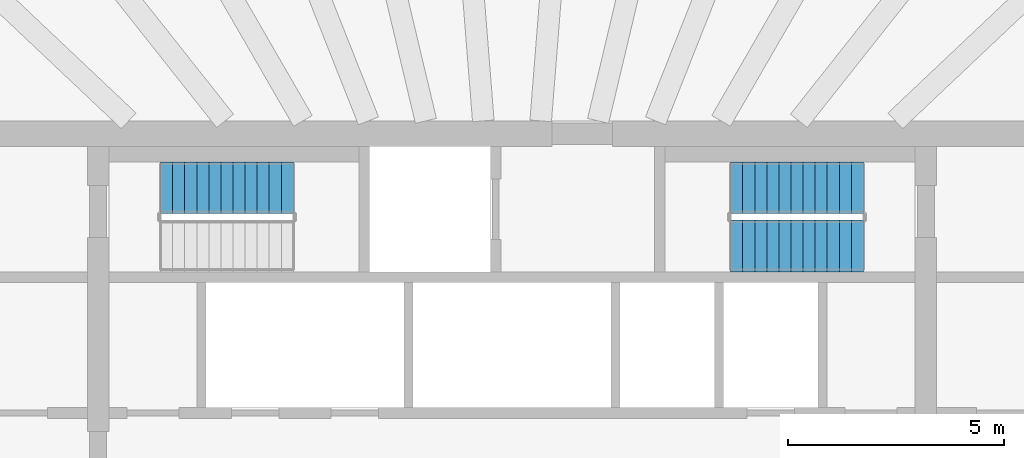
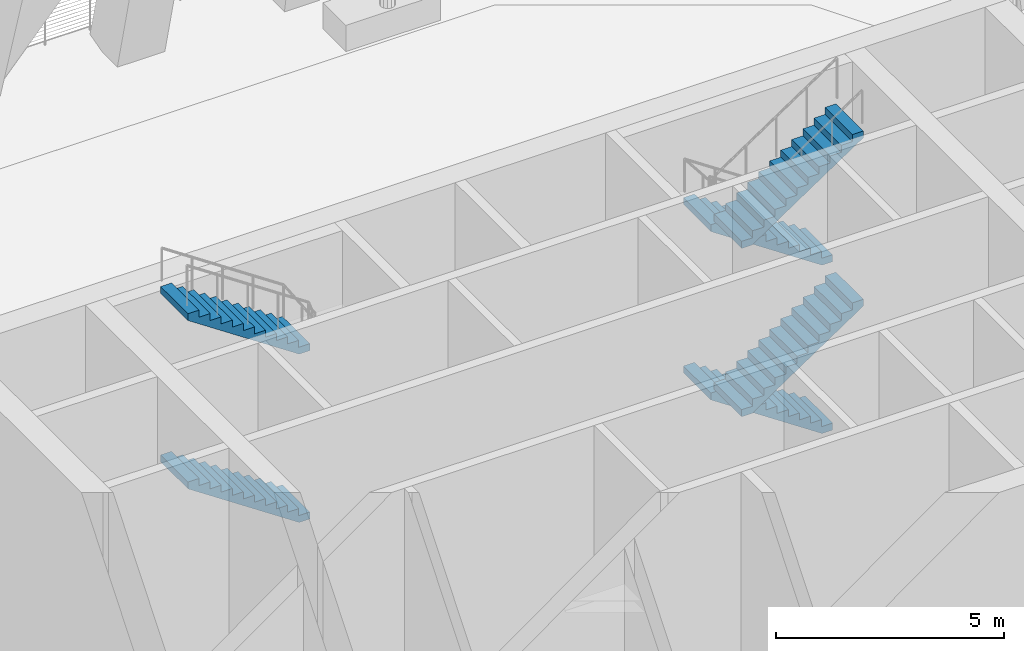
# One storey, part 6 of 11: 6 stair flights, 2 elements without a shape of their own.
"""IFC4 building model written with IfcOpenShell, lengths in metres."""

from ifc_helpers import new_model, si_unit, direction, frame, origin, place, context, subcontext, project, spatial, polyline, outline, extrude, material, layer, layer_set, type_object, element, aggregate, save


model = new_model("IFC4")

# Units and contexts
model_context = context("Model", 3, precision=1e-05, world=origin(), true_north=direction((0.0, 1.0)))
body_context = subcontext(model_context, "Body", "Model", "MODEL_VIEW")
ifc_project = project(units=[si_unit("LENGTHUNIT", "METRE"), si_unit("AREAUNIT", "SQUARE_METRE"), si_unit("VOLUMEUNIT", "CUBIC_METRE"), si_unit("PLANEANGLEUNIT", "RADIAN"), si_unit("MASSUNIT", "GRAM", prefix="KILO")], contexts=[model_context])

# Site, building, storey
site_placement = place(None, origin())
site = spatial("IfcSite", under=ifc_project, at=site_placement, CompositionType="ELEMENT")
building_placement = place(site_placement, origin())
building = spatial("IfcBuilding", under=site, at=building_placement, Name="Frailejon Research Tower", CompositionType="ELEMENT")
storey_placement = place(building_placement, frame((0.0, 0.0, 202.39990234375)))
storey = spatial("IfcBuildingStorey", under=building, at=storey_placement, Name="L44", CompositionType="ELEMENT", Elevation=202.39990234375)

# Stair, stair flights
ifc_material_1 = material(Name="Concrete C50/60", Category="concrete")
stair_type = type_object("IfcStairType", Name="Exit stair 48 risers", PredefinedType="HALF_TURN_STAIR", material=ifc_material_1)
stair_1_placement = place(storey_placement, origin())
stair_1 = element("IfcStair", 1, at=stair_1_placement, inside=storey, type_object=stair_type, Name="L44 Exit stair ST1", PredefinedType="HALF_TURN_STAIR")
ifc_material_2 = material(Name="Concrete C50/60", Category="concrete")
ifc_layer = layer(ifc_material_2, 0.14990234375)
ifc_layer_set = layer_set([ifc_layer], Name="Stair flight 12 risers")
stair_flight_type = type_object("IfcStairFlightType", Name="Stair flight 12 risers", PredefinedType="STRAIGHT", material=ifc_layer_set)
stair_flight_1_placement = place(storey_placement, frame((-5.070068359375, 6.85009765625, 2.25), z_axis=(0.0, 0.0, 1.0), x_axis=(-1.0, 0.0, 0.0)))
stair_flight_1 = element("IfcStairFlight", 2, at=stair_flight_1_placement, type_object=stair_flight_type, Name="ST1 flight 2", NumberOfRisers=12, NumberOfTreads=11, PredefinedType="STRAIGHT", RiserHeight=0.1875, TreadLength=0.28, context=body_context, shape_type="SweptSolid", body=[
    extrude(outline(polyline([(0.0, 0.0), (0.0, 0.1875), (0.280029296875, 0.1875), (0.280029296875, 0.375), (0.56005859375, 0.375), (0.56005859375, 0.5625), (0.840087890625, 0.5625), (0.840087890625, 0.75), (1.1201171875, 0.75), (1.1201171875, 0.9375), (1.39990234375, 0.9375), (1.39990234375, 1.125), (1.679931640625, 1.125), (1.679931640625, 1.3125), (1.9599609375, 1.3125), (1.9599609375, 1.5), (2.239990234375, 1.5), (2.239990234375, 1.6875), (2.52001953125, 1.6875), (2.52001953125, 1.875), (2.800048828125, 1.875), (2.800048828125, 2.0625), (3.080078125, 2.0625), (3.080078125, 2.25), (3.080078125, 1.882080078125), (0.26953125, 0.0), (0.0, 0.0)])), frame((0.0, 0.60009765625, 0.0), z_axis=(0.0, -1.0, 0.0), x_axis=(1.0, 0.0, 0.0)), (0.0, 0.0, 1.0), 1.199951171875),
])
stair_flight_2_placement = place(storey_placement, frame((-5.070068359375, 6.85009765625, 6.75), z_axis=(0.0, 0.0, 1.0), x_axis=(-1.0, 0.0, 0.0)))
stair_flight_2 = element("IfcStairFlight", 3, at=stair_flight_2_placement, type_object=stair_flight_type, Name="ST1 flight 4", NumberOfRisers=12, NumberOfTreads=11, PredefinedType="STRAIGHT", RiserHeight=0.1875, TreadLength=0.28, context=body_context, shape_type="SweptSolid", body=[
    extrude(outline(polyline([(0.0, 0.0), (0.0, 0.1875), (0.280029296875, 0.1875), (0.280029296875, 0.375), (0.56005859375, 0.375), (0.56005859375, 0.5625), (0.840087890625, 0.5625), (0.840087890625, 0.75), (1.1201171875, 0.75), (1.1201171875, 0.9375), (1.39990234375, 0.9375), (1.39990234375, 1.125), (1.679931640625, 1.125), (1.679931640625, 1.3125), (1.9599609375, 1.3125), (1.9599609375, 1.5), (2.239990234375, 1.5), (2.239990234375, 1.6875), (2.52001953125, 1.6875), (2.52001953125, 1.875), (2.800048828125, 1.875), (2.800048828125, 2.0625), (3.080078125, 2.0625), (3.080078125, 2.25), (3.080078125, 1.882080078125), (0.26953125, 0.0), (0.0, 0.0)])), frame((0.0, 0.60009765625, 0.0), z_axis=(0.0, -1.0, 0.0), x_axis=(1.0, 0.0, 0.0)), (0.0, 0.0, 1.0), 1.199951171875),
])
aggregate(stair_1, [stair_flight_1, stair_flight_2])

stair_2_placement = place(storey_placement, origin())
stair_2 = element("IfcStair", 4, at=stair_2_placement, inside=storey, type_object=stair_type, Name="L44 Exit stair ST3", PredefinedType="HALF_TURN_STAIR")
stair_flight_3_placement = place(storey_placement, frame((8.14990234375, 6.85009765625, 0.0), z_axis=(0.0, 0.0, 1.0), x_axis=(-1.0, 0.0, 0.0)))
stair_flight_3 = element("IfcStairFlight", 5, at=stair_flight_3_placement, type_object=stair_flight_type, Name="ST3 flight 1", NumberOfRisers=12, NumberOfTreads=11, PredefinedType="STRAIGHT", RiserHeight=0.1875, TreadLength=0.28, context=body_context, shape_type="SweptSolid", body=[
    extrude(outline(polyline([(0.0, 0.0), (0.0, 0.1875), (0.280029296875, 0.1875), (0.280029296875, 0.375), (0.56005859375, 0.375), (0.56005859375, 0.5625), (0.840087890625, 0.5625), (0.840087890625, 0.75), (1.1201171875, 0.75), (1.1201171875, 0.9375), (1.39990234375, 0.9375), (1.39990234375, 1.125), (1.679931640625, 1.125), (1.679931640625, 1.3125), (1.9599609375, 1.3125), (1.9599609375, 1.5), (2.239990234375, 1.5), (2.239990234375, 1.6875), (2.52001953125, 1.6875), (2.52001953125, 1.875), (2.800048828125, 1.875), (2.800048828125, 2.0625), (3.080078125, 2.0625), (3.080078125, 2.25), (3.080078125, 1.882080078125), (0.26953125, 0.0), (0.0, 0.0)])), frame((0.0, 0.60009765625, 0.0), z_axis=(0.0, -1.0, 0.0), x_axis=(1.0, 0.0, 0.0)), (0.0, 0.0, 1.0), 1.199951171875),
])
stair_flight_4_placement = place(storey_placement, frame((5.070068359375, 5.5, 2.25), z_axis=(0.0, 0.0, 1.0), x_axis=(1.0, 0.0, 0.0)))
stair_flight_4 = element("IfcStairFlight", 6, at=stair_flight_4_placement, type_object=stair_flight_type, Name="ST3 flight 2", NumberOfRisers=12, NumberOfTreads=11, PredefinedType="STRAIGHT", RiserHeight=0.1875, TreadLength=0.28, context=body_context, shape_type="SweptSolid", body=[
    extrude(outline(polyline([(0.0, 0.0), (0.0, 0.1875), (0.280029296875, 0.1875), (0.280029296875, 0.375), (0.56005859375, 0.375), (0.56005859375, 0.5625), (0.840087890625, 0.5625), (0.840087890625, 0.75), (1.1201171875, 0.75), (1.1201171875, 0.9375), (1.39990234375, 0.9375), (1.39990234375, 1.125), (1.679931640625, 1.125), (1.679931640625, 1.3125), (1.9599609375, 1.3125), (1.9599609375, 1.5), (2.239990234375, 1.5), (2.239990234375, 1.6875), (2.52001953125, 1.6875), (2.52001953125, 1.875), (2.800048828125, 1.875), (2.800048828125, 2.0625), (3.080078125, 2.0625), (3.080078125, 2.25), (3.080078125, 1.882080078125), (0.26953125, 0.0), (0.0, 0.0)])), frame((0.0, 0.60009765625, 0.0), z_axis=(0.0, -1.0, 0.0), x_axis=(1.0, 0.0, 0.0)), (0.0, 0.0, 1.0), 1.199951171875),
])
stair_flight_5_placement = place(storey_placement, frame((8.14990234375, 6.85009765625, 4.5), z_axis=(0.0, 0.0, 1.0), x_axis=(-1.0, 0.0, 0.0)))
stair_flight_5 = element("IfcStairFlight", 7, at=stair_flight_5_placement, type_object=stair_flight_type, Name="ST3 flight 3", NumberOfRisers=12, NumberOfTreads=11, PredefinedType="STRAIGHT", RiserHeight=0.1875, TreadLength=0.28, context=body_context, shape_type="SweptSolid", body=[
    extrude(outline(polyline([(0.0, 0.0), (0.0, 0.1875), (0.280029296875, 0.1875), (0.280029296875, 0.375), (0.56005859375, 0.375), (0.56005859375, 0.5625), (0.840087890625, 0.5625), (0.840087890625, 0.75), (1.1201171875, 0.75), (1.1201171875, 0.9375), (1.39990234375, 0.9375), (1.39990234375, 1.125), (1.679931640625, 1.125), (1.679931640625, 1.3125), (1.9599609375, 1.3125), (1.9599609375, 1.5), (2.239990234375, 1.5), (2.239990234375, 1.6875), (2.52001953125, 1.6875), (2.52001953125, 1.875), (2.800048828125, 1.875), (2.800048828125, 2.0625), (3.080078125, 2.0625), (3.080078125, 2.25), (3.080078125, 1.882080078125), (0.26953125, 0.0), (0.0, 0.0)])), frame((0.0, 0.60009765625, 0.0), z_axis=(0.0, -1.0, 0.0), x_axis=(1.0, 0.0, 0.0)), (0.0, 0.0, 1.0), 1.199951171875),
])
stair_flight_6_placement = place(storey_placement, frame((5.070068359375, 5.5, 6.75), z_axis=(0.0, 0.0, 1.0), x_axis=(1.0, 0.0, 0.0)))
stair_flight_6 = element("IfcStairFlight", 8, at=stair_flight_6_placement, type_object=stair_flight_type, Name="ST3 flight 4", NumberOfRisers=12, NumberOfTreads=11, PredefinedType="STRAIGHT", RiserHeight=0.1875, TreadLength=0.28, context=body_context, shape_type="SweptSolid", body=[
    extrude(outline(polyline([(0.0, 0.0), (0.0, 0.1875), (0.280029296875, 0.1875), (0.280029296875, 0.375), (0.56005859375, 0.375), (0.56005859375, 0.5625), (0.840087890625, 0.5625), (0.840087890625, 0.75), (1.1201171875, 0.75), (1.1201171875, 0.9375), (1.39990234375, 0.9375), (1.39990234375, 1.125), (1.679931640625, 1.125), (1.679931640625, 1.3125), (1.9599609375, 1.3125), (1.9599609375, 1.5), (2.239990234375, 1.5), (2.239990234375, 1.6875), (2.52001953125, 1.6875), (2.52001953125, 1.875), (2.800048828125, 1.875), (2.800048828125, 2.0625), (3.080078125, 2.0625), (3.080078125, 2.25), (3.080078125, 1.882080078125), (0.26953125, 0.0), (0.0, 0.0)])), frame((0.0, 0.60009765625, 0.0), z_axis=(0.0, -1.0, 0.0), x_axis=(1.0, 0.0, 0.0)), (0.0, 0.0, 1.0), 1.199951171875),
])
aggregate(stair_2, [stair_flight_3, stair_flight_4, stair_flight_5, stair_flight_6])

save(model, "model.ifc")
